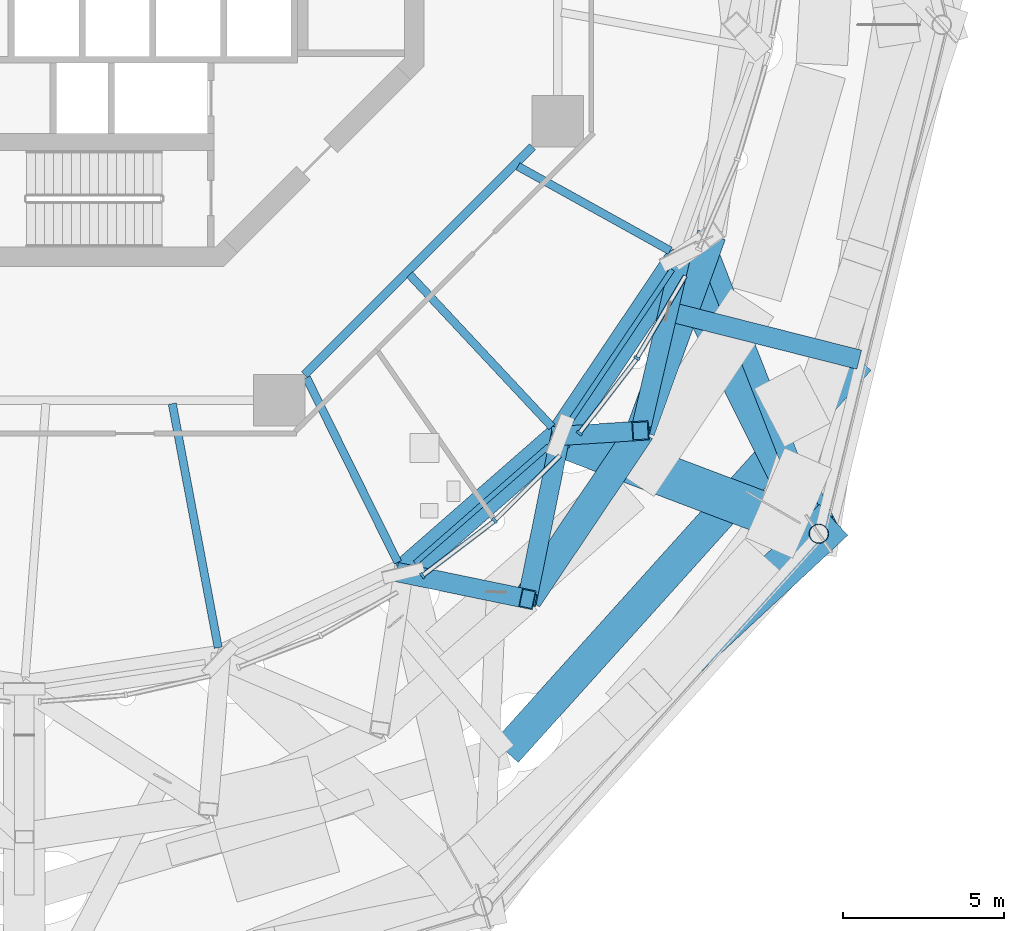
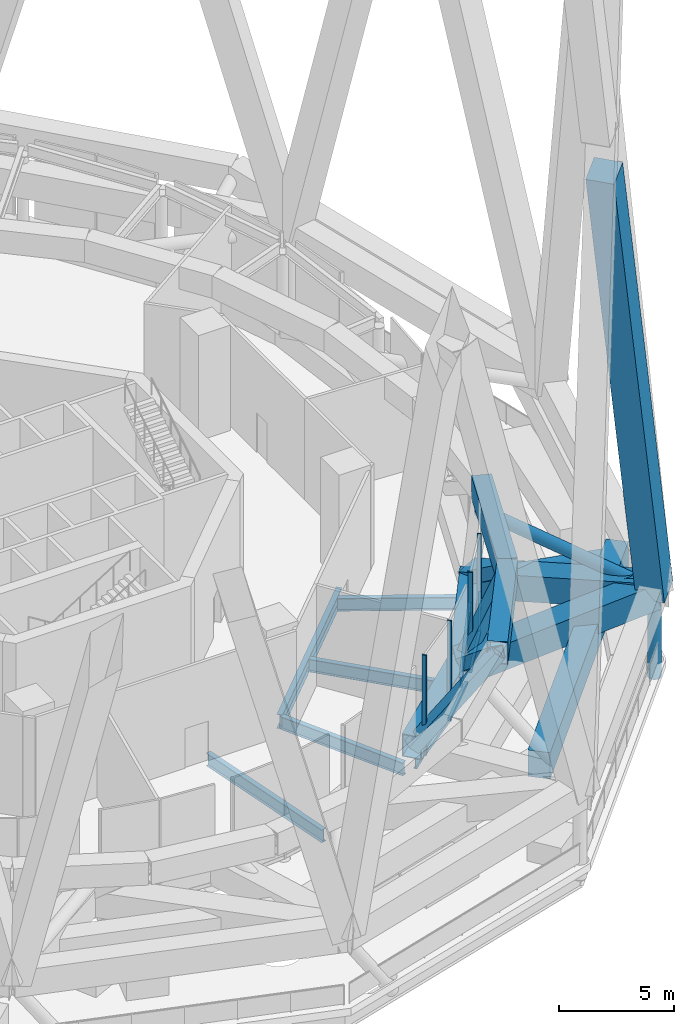
# One storey, part 11 of 48: 15 beams, 15 members, 4 elements without a shape of their own.
"""IFC4 building model written with IfcOpenShell, lengths in metres."""

from ifc_helpers import new_model, si_unit, direction, frame, origin, origin_2d, place, context, subcontext, project, spatial, rectangle, hollow_rectangle, hollow_circle, i_section, extrude, material, layer, layer_set, material_profile, profile_set, type_object, element, aggregate, save


model = new_model("IFC4")

# Units and contexts
model_context = context("Model", 3, precision=1e-05, world=origin(), true_north=direction((0.0, 1.0)))
body_context = subcontext(model_context, "Body", "Model", "MODEL_VIEW")
ifc_project = project(units=[si_unit("LENGTHUNIT", "METRE"), si_unit("AREAUNIT", "SQUARE_METRE"), si_unit("VOLUMEUNIT", "CUBIC_METRE"), si_unit("PLANEANGLEUNIT", "RADIAN"), si_unit("MASSUNIT", "GRAM", prefix="KILO")], contexts=[model_context])

# Site, building, storey
site_placement = place(None, origin())
site = spatial("IfcSite", under=ifc_project, at=site_placement, CompositionType="ELEMENT")
building_placement = place(site_placement, origin())
building = spatial("IfcBuilding", under=site, at=building_placement, Name="Nagisa Residences", CompositionType="ELEMENT")
storey_placement = place(building_placement, frame((0.0, 0.0, 252.89990234375)))
storey = spatial("IfcBuildingStorey", under=building, at=storey_placement, Name="L64", CompositionType="ELEMENT", Elevation=252.89990234375)

# Beams
ifc_material_1 = material(Name="Steel ASTM A572 Gr 50", Category="steel")
ifc_material_profile_1 = material_profile(ifc_material_1, hollow_rectangle(XDim=0.89990234375, YDim=1.199951171875, WallThickness=0.0400390625, at=origin_2d()), Name="BX 900x1200x40")
ifc_profile_set_1 = profile_set([ifc_material_profile_1], Name="Steel ASTM A572 Gr 50")
beam_type_1 = type_object("IfcBeamType", Name="Belt chord 5 BX 900x1200x40", PredefinedType="BEAM", material=ifc_profile_set_1)
beam_1_placement = place(storey_placement, frame((9.985107421875, -20.169677734375, 0.60009765625), z_axis=(0.752422814139, 0.658680429923, 0.0), x_axis=(-0.658680429923, 0.752422814139, 0.0)))
element("IfcBeam", 1, at=beam_1_placement, inside=storey, type_object=beam_type_1, Name="beam:L64:bt5b21", PredefinedType="BEAM", context=body_context, shape_type="SweptSolid", body=[
    extrude(hollow_rectangle(XDim=0.89990234375, YDim=1.199951171875, WallThickness=0.0400390625, at=origin_2d()), origin(), (0.0, 0.0, 1.0), 6.487548828125),
])
beam_2_placement = place(storey_placement, frame((14.866455078125, -15.896484375, 0.60009765625), z_axis=(0.558112035626, 0.82976560286, 0.0), x_axis=(-0.82976560286, 0.558112035626, 0.0)))
element("IfcBeam", 2, at=beam_2_placement, inside=storey, type_object=beam_type_1, Name="beam:L64:bt5b22", PredefinedType="BEAM", context=body_context, shape_type="SweptSolid", body=[
    extrude(hollow_rectangle(XDim=0.89990234375, YDim=1.199951171875, WallThickness=0.0400390625, at=origin_2d()), origin(), (0.0, 0.0, 1.0), 6.711669921875),
])
beam_3_placement = place(storey_placement, frame((13.84130859375, -20.965087890625, 4.739990234375), z_axis=(0.558022898517, 0.829825550782, 0.0), x_axis=(-0.829825550782, 0.558022898517, 0.0)))
element("IfcBeam", 3, at=beam_3_placement, inside=storey, type_object=beam_type_1, Name="beam:L64:bt5t22", PredefinedType="BEAM", context=body_context, shape_type="SweptSolid", body=[
    extrude(hollow_rectangle(XDim=0.89990234375, YDim=1.199951171875, WallThickness=0.0400390625, at=origin_2d()), origin(), (0.0, 0.0, 1.0), 6.29931640625),
])
beam_4_placement = place(storey_placement, frame((17.3564453125, -15.73779296875, 4.739990234375), z_axis=(0.341213297121, 0.939985896632, 0.0), x_axis=(-0.939985896632, 0.341213297121, 0.0)))
element("IfcBeam", 4, at=beam_4_placement, inside=storey, type_object=beam_type_1, Name="beam:L64:bt5t23", PredefinedType="BEAM", context=body_context, shape_type="SweptSolid", body=[
    extrude(hollow_rectangle(XDim=0.89990234375, YDim=1.199951171875, WallThickness=0.0400390625, at=origin_2d()), origin(), (0.0, 0.0, 1.0), 6.47607421875),
])
ifc_material_2 = material(Name="Steel ASTM A572 Gr 50", Category="steel")
ifc_material_profile_2 = material_profile(ifc_material_2, hollow_rectangle(XDim=0.60009765625, YDim=0.60009765625, WallThickness=0.034912109375, at=origin_2d()), Name="BX 600x600x35")
ifc_profile_set_2 = profile_set([ifc_material_profile_2], Name="Steel ASTM A572 Gr 50")
beam_type_2 = type_object("IfcBeamType", Name="Belt diagonal 5 BX 600x600x35", PredefinedType="BEAM", material=ifc_profile_set_2)
beam_5_placement = place(storey_placement, frame((9.985107421875, -20.169677734375, 0.60009765625), z_axis=(0.67495289078, -0.139221052115, 0.724607544727), x_axis=(0.202015062221, 0.97938241491, 0.0)))
element("IfcBeam", 5, at=beam_5_placement, inside=storey, type_object=beam_type_2, Name="beam:L64:bt5db21", PredefinedType="BEAM", context=body_context, shape_type="SweptSolid", body=[
    extrude(hollow_rectangle(XDim=0.60009765625, YDim=0.60009765625, WallThickness=0.034912109375, at=origin_2d()), origin(), (0.0, 0.0, 1.0), 5.71337890625),
])
beam_6_placement = place(storey_placement, frame((14.866455078125, -15.896484375, 0.60009765625), z_axis=(-0.15475715929, -0.765161558473, 0.624962407737), x_axis=(0.98015347267, -0.198240182638, 0.0)))
element("IfcBeam", 6, at=beam_6_placement, inside=storey, type_object=beam_type_2, Name="beam:L64:bt5da22", PredefinedType="BEAM", context=body_context, shape_type="SweptSolid", body=[
    extrude(hollow_rectangle(XDim=0.60009765625, YDim=0.60009765625, WallThickness=0.034912109375, at=origin_2d()), origin(), (0.0, 0.0, 1.0), 6.624267578125),
])
beam_7_placement = place(storey_placement, frame((14.866455078125, -15.896484375, 0.60009765625), z_axis=(0.515139150259, 0.032830713567, 0.856477553773), x_axis=(-0.063602700661, 0.997975298526, 0.0)))
element("IfcBeam", 7, at=beam_7_placement, inside=storey, type_object=beam_type_2, Name="beam:L64:bt5db22", PredefinedType="BEAM", context=body_context, shape_type="SweptSolid", body=[
    extrude(hollow_rectangle(XDim=0.60009765625, YDim=0.60009765625, WallThickness=0.034912109375, at=origin_2d()), origin(), (0.0, 0.0, 1.0), 4.833740234375),
])
beam_8_placement = place(storey_placement, frame((18.6123046875, -10.327392578125, 0.60009765625), z_axis=(-0.181289734521, -0.781019013748, 0.59761470223), x_axis=(0.974102214012, -0.226108108338, 0.0)))
element("IfcBeam", 8, at=beam_8_placement, inside=storey, type_object=beam_type_2, Name="beam:L64:bt5da23", PredefinedType="BEAM", context=body_context, shape_type="SweptSolid", body=[
    extrude(hollow_rectangle(XDim=0.60009765625, YDim=0.60009765625, WallThickness=0.034912109375, at=origin_2d()), origin(), (0.0, 0.0, 1.0), 6.92724609375),
])

# Curtain wall, member
ifc_material_3 = material(Name="Aluminium curtain wall system", Category="aluminium")
ifc_layer = layer(ifc_material_3, 0.159912109375)
ifc_layer_set = layer_set([ifc_layer], Name="CW2 CURTAIN WALL")
curtain_wall_type = type_object("IfcCurtainWallType", Name="CW2 CURTAIN WALL", PredefinedType="NOTDEFINED", material=ifc_layer_set)
curtain_wall_1_placement = place(storey_placement, origin())
curtain_wall_1 = element("IfcCurtainWall", 9, at=curtain_wall_1_placement, inside=storey, type_object=curtain_wall_type, Name="cw:CW2:L64:40", PredefinedType="NOTDEFINED")
ifc_material_4 = material(Name="Aluminium", Category="aluminium")
ifc_material_profile_3 = material_profile(ifc_material_4, rectangle(XDim=0.199951171875, YDim=0.080078125, at=origin_2d()), Name="CW2 MULLION 200x80")
ifc_profile_set_3 = profile_set([ifc_material_profile_3], Name="Aluminium")
member_type_1 = type_object("IfcMemberType", Name="CW2 MULLION 200x80", PredefinedType="MULLION", material=ifc_profile_set_3)
member_1_placement = place(storey_placement, frame((10.57666015625, -20.242431640625, 0.0), z_axis=(0.0, 0.0, 1.0), x_axis=(-0.605255421737, 0.79603132756, 0.0)))
member_1 = element("IfcMember", 10, at=member_1_placement, type_object=member_type_1, Name="CW2 mullion", PredefinedType="MULLION", context=body_context, shape_type="SweptSolid", body=[
    extrude(rectangle(XDim=0.199951171875, YDim=0.080078125, at=origin_2d()), origin(), (0.0, 0.0, 1.0), 5.340087890625),
])

curtain_wall_2_placement = place(storey_placement, origin())
curtain_wall_2 = element("IfcCurtainWall", 11, at=curtain_wall_2_placement, inside=storey, type_object=curtain_wall_type, Name="cw:CW2:L64:41", PredefinedType="NOTDEFINED")
member_2_placement = place(storey_placement, frame((12.82470703125, -18.52734375, 0.0), z_axis=(0.0, 0.0, 1.0), x_axis=(-0.706376885714, 0.707835924016, 0.0)))
member_2 = element("IfcMember", 12, at=member_2_placement, type_object=member_type_1, Name="CW2 mullion", PredefinedType="MULLION", context=body_context, shape_type="SweptSolid", body=[
    extrude(rectangle(XDim=0.199951171875, YDim=0.080078125, at=origin_2d()), origin(), (0.0, 0.0, 1.0), 5.340087890625),
])

curtain_wall_3_placement = place(storey_placement, origin())
curtain_wall_3 = element("IfcCurtainWall", 13, at=curtain_wall_3_placement, inside=storey, type_object=curtain_wall_type, Name="cw:CW2:L64:42", PredefinedType="NOTDEFINED")
member_3_placement = place(storey_placement, frame((15.455810546875, -15.81298828125, 0.0), z_axis=(0.0, 0.0, 1.0), x_axis=(-0.792070340816, 0.610429828235, 0.0)))
member_3 = element("IfcMember", 14, at=member_3_placement, type_object=member_type_1, Name="CW2 mullion", PredefinedType="MULLION", context=body_context, shape_type="SweptSolid", body=[
    extrude(rectangle(XDim=0.199951171875, YDim=0.080078125, at=origin_2d()), origin(), (0.0, 0.0, 1.0), 5.340087890625),
])

curtain_wall_4_placement = place(storey_placement, origin())
curtain_wall_4 = element("IfcCurtainWall", 15, at=curtain_wall_4_placement, inside=storey, type_object=curtain_wall_type, Name="cw:CW2:L64:43", PredefinedType="NOTDEFINED")
member_4_placement = place(storey_placement, frame((17.247314453125, -13.481201171875, 0.0), z_axis=(0.0, 0.0, 1.0), x_axis=(-0.862328898214, 0.506348567002, 0.0)))
member_4 = element("IfcMember", 16, at=member_4_placement, type_object=member_type_1, Name="CW2 mullion", PredefinedType="MULLION", context=body_context, shape_type="SweptSolid", body=[
    extrude(rectangle(XDim=0.199951171875, YDim=0.080078125, at=origin_2d()), origin(), (0.0, 0.0, 1.0), 5.340087890625),
])

# Member
ifc_material_5 = material(Name="Aluminium", Category="aluminium")
ifc_material_profile_4 = material_profile(ifc_material_5, rectangle(XDim=0.139892578125, YDim=0.179931640625, at=origin_2d()), Name="CW2 TRANSOM 140x180")
ifc_profile_set_4 = profile_set([ifc_material_profile_4], Name="Aluminium")
member_type_2 = type_object("IfcMemberType", Name="CW2 TRANSOM 140x180", PredefinedType="USERDEFINED", material=ifc_profile_set_4)
member_5_placement = place(storey_placement, frame((10.544677734375, -20.2666015625, 0.090087890625), z_axis=(0.796061088035, 0.605216278793, 0.0), x_axis=(-0.605216278793, 0.796061088035, 0.0)))
member_5 = element("IfcMember", 17, at=member_5_placement, type_object=member_type_2, Name="CW2 transom", ObjectType="TRANSOM", PredefinedType="USERDEFINED", context=body_context, shape_type="SweptSolid", body=[
    extrude(rectangle(XDim=0.139892578125, YDim=0.179931640625, at=origin_2d()), origin(), (0.0, 0.0, 1.0), 2.838623046875),
])

aggregate(curtain_wall_1, [member_1, member_5])

member_6_placement = place(storey_placement, frame((12.79638671875, -18.5556640625, 0.090087890625), z_axis=(0.707823435791, 0.706389399513, 0.0), x_axis=(-0.706389399513, 0.707823435791, 0.0)))
member_6 = element("IfcMember", 18, at=member_6_placement, type_object=member_type_2, Name="CW2 transom", ObjectType="TRANSOM", PredefinedType="USERDEFINED", context=body_context, shape_type="SweptSolid", body=[
    extrude(rectangle(XDim=0.139892578125, YDim=0.179931640625, at=origin_2d()), origin(), (0.0, 0.0, 1.0), 2.894287109375),
])

aggregate(curtain_wall_2, [member_2, member_6])

member_7_placement = place(storey_placement, frame((15.431396484375, -15.8447265625, 0.090087890625), z_axis=(0.610446226822, 0.792057702544, 0.0), x_axis=(-0.792057702544, 0.610446226822, 0.0)))
member_7 = element("IfcMember", 19, at=member_7_placement, type_object=member_type_2, Name="CW2 transom", ObjectType="TRANSOM", PredefinedType="USERDEFINED", context=body_context, shape_type="SweptSolid", body=[
    extrude(rectangle(XDim=0.139892578125, YDim=0.179931640625, at=origin_2d()), origin(), (0.0, 0.0, 1.0), 2.95068359375),
])

aggregate(curtain_wall_3, [member_3, member_7])

member_8_placement = place(storey_placement, frame((17.22705078125, -13.515869140625, 0.090087890625), z_axis=(0.506299099486, 0.862357943002, 0.0), x_axis=(-0.862357943002, 0.506299099486, 0.0)))
member_8 = element("IfcMember", 20, at=member_8_placement, type_object=member_type_2, Name="CW2 transom", ObjectType="TRANSOM", PredefinedType="USERDEFINED", context=body_context, shape_type="SweptSolid", body=[
    extrude(rectangle(XDim=0.139892578125, YDim=0.179931640625, at=origin_2d()), origin(), (0.0, 0.0, 1.0), 3.004638671875),
])

aggregate(curtain_wall_4, [member_4, member_8])

# Members
ifc_material_6 = material(Name="Concrete C80", Category="concrete")
ifc_material_profile_5 = material_profile(ifc_material_6, rectangle(XDim=1.300048828125, YDim=1.300048828125, at=origin_2d()), Name="C80 1300x1300")
ifc_profile_set_5 = profile_set([ifc_material_profile_5], Name="Concrete C80")
member_type_3 = type_object("IfcMemberType", Name="Cage bracket 6 C80 1300x1300", PredefinedType="BRACE", material=ifc_profile_set_5)
member_9_placement = place(storey_placement, frame((22.89892578125, -18.937744140625, 3.7001953125), z_axis=(-0.879664422582, 0.333059168782, -0.339502715356), x_axis=(-0.354090338012, -0.935211223482, 0.0)))
element("IfcMember", 21, at=member_9_placement, inside=storey, type_object=member_type_3, Name="mem:L64:cg5ob09", PredefinedType="BRACE", context=body_context, shape_type="SweptSolid", body=[
    extrude(rectangle(XDim=1.300048828125, YDim=1.300048828125, at=origin_2d()), origin(), (0.0, 0.0, 1.0), 9.13134765625),
])
member_10_placement = place(storey_placement, frame((22.89892578125, -18.937744140625, 3.7001953125), z_axis=(-0.424181226586, 0.85203459957, -0.306769177309), x_axis=(-0.895197494051, -0.445669660898, 0.0)))
element("IfcMember", 22, at=member_10_placement, inside=storey, type_object=member_type_3, Name="mem:L64:cg5ob10", PredefinedType="BRACE", context=body_context, shape_type="SweptSolid", body=[
    extrude(rectangle(XDim=1.300048828125, YDim=1.300048828125, at=origin_2d()), origin(), (0.0, 0.0, 1.0), 10.105712890625),
])
ifc_material_7 = material(Name="Concrete C80", Category="concrete")
ifc_material_profile_6 = material_profile(ifc_material_7, rectangle(XDim=1.300048828125, YDim=1.300048828125, at=origin_2d()), Name="C80 1300x1300")
ifc_profile_set_6 = profile_set([ifc_material_profile_6], Name="Concrete C80")
member_type_4 = type_object("IfcMemberType", Name="Cage diagonal 6 C80 1300x1300", PredefinedType="BRACE", material=ifc_profile_set_6)
member_11_placement = place(storey_placement, frame((22.89892578125, -18.937744140625, 3.7001953125), z_axis=(-0.193228376758, -0.179868310994, 0.964525886182), x_axis=(0.68134959341, -0.731958148777, 0.0)))
element("IfcMember", 23, at=member_11_placement, inside=storey, type_object=member_type_4, Name="mem:L64:cg6d022a", PredefinedType="BRACE", context=body_context, shape_type="SweptSolid", body=[
    extrude(rectangle(XDim=1.300048828125, YDim=1.300048828125, at=origin_2d()), origin(), (0.0, 0.0, 1.0), 28.25146484375),
])
ifc_material_8 = material(Name="Concrete C80", Category="concrete")
ifc_material_profile_7 = material_profile(ifc_material_8, rectangle(XDim=1.0, YDim=1.39990234375, at=origin_2d()), Name="C80 1000x1400")
ifc_profile_set_7 = profile_set([ifc_material_profile_7], Name="Concrete C80")
member_type_5 = type_object("IfcMemberType", Name="Cage ring 5 C80 1000x1400", PredefinedType="CHORD", material=ifc_profile_set_7)
member_12_placement = place(storey_placement, frame((13.18505859375, -25.71240234375, 1.900146484375), z_axis=(0.669071674915, 0.743197883357, 0.0), x_axis=(-0.743197883357, 0.669071674915, 0.0)))
element("IfcMember", 24, at=member_12_placement, inside=storey, type_object=member_type_5, Name="beam:L64:cg5r111", PredefinedType="CHORD", context=body_context, shape_type="SweptSolid", body=[
    extrude(rectangle(XDim=1.0, YDim=1.39990234375, at=origin_2d()), origin(), (0.0, 0.0, 1.0), 16.3955078125),
])
ifc_material_9 = material(Name="Steel ASTM A572 Gr 65", Category="steel")
ifc_material_profile_8 = material_profile(ifc_material_9, hollow_circle(Radius=0.304931640625, WallThickness=0.02490234375, at=origin_2d()), Name="CHS 610x25")
ifc_profile_set_8 = profile_set([ifc_material_profile_8], Name="Steel ASTM A572 Gr 65")
member_type_6 = type_object("IfcMemberType", Name="Cage strut CHS 610x25", PredefinedType="STRUT", material=ifc_profile_set_8)
member_13_placement = place(storey_placement, frame((24.15478515625, -13.52734375, 1.900146484375), z_axis=(-0.969484655693, 0.245151998514, 0.0), x_axis=(-0.245151998514, -0.969484655693, 0.0)))
element("IfcMember", 25, at=member_13_placement, inside=storey, type_object=member_type_6, Name="mem:L64:bt5st5a12", PredefinedType="STRUT", context=body_context, shape_type="SweptSolid", body=[
    extrude(hollow_circle(Radius=0.304931640625, WallThickness=0.02490234375, at=origin_2d()), origin(), (0.0, 0.0, 1.0), 6.12353515625),
])
member_14_placement = place(storey_placement, frame((22.89892578125, -18.937744140625, 3.7001953125), z_axis=(-0.364804478922, 0.931084148806, 0.0), x_axis=(-0.931084148806, -0.364804478922, 0.0)))
element("IfcMember", 26, at=member_14_placement, inside=storey, type_object=member_type_6, Name="mem:L64:bt5st6b12", PredefinedType="STRUT", context=body_context, shape_type="SweptSolid", body=[
    extrude(hollow_circle(Radius=0.304931640625, WallThickness=0.02490234375, at=origin_2d()), origin(), (0.0, 0.0, 1.0), 9.792236328125),
])
ifc_material_10 = material(Name="Steel ASTM A572 Gr 65", Category="steel")
ifc_material_profile_9 = material_profile(ifc_material_10, hollow_circle(Radius=0.304931640625, WallThickness=0.02490234375, at=origin_2d()), Name="CHS 610x25")
ifc_profile_set_9 = profile_set([ifc_material_profile_9], Name="Steel ASTM A572 Gr 65")
member_type_7 = type_object("IfcMemberType", Name="Deck hanger CHS 610x25", PredefinedType="POST", material=ifc_profile_set_9)
member_15_placement = place(storey_placement, frame((22.89892578125, -18.937744140625, 3.0), z_axis=(0.0, 0.0, -1.0), x_axis=(1.0, 0.0, 0.0)))
element("IfcMember", 27, at=member_15_placement, inside=storey, type_object=member_type_7, Name="mem:L64:deckhanger09", PredefinedType="POST", context=body_context, shape_type="SweptSolid", body=[
    extrude(hollow_circle(Radius=0.304931640625, WallThickness=0.02490234375, at=origin_2d()), origin(), (0.0, 0.0, 1.0), 3.889892578125),
])

# Beams
ifc_material_11 = material(Name="Steel ASTM A572 Gr 50", Category="steel")
ifc_material_profile_10 = material_profile(ifc_material_11, i_section(OverallWidth=0.264892578125, OverallDepth=0.7529296875, WebThickness=0.01318359375, FlangeThickness=0.01708984375, at=origin_2d()), Name="W760x147")
ifc_profile_set_10 = profile_set([ifc_material_profile_10], Name="Steel ASTM A572 Gr 50")
beam_type_3 = type_object("IfcBeamType", Name="Inner ring beam W760x147", PredefinedType="BEAM", material=ifc_profile_set_10)
beam_9_placement = place(storey_placement, frame((6.90869140625, -13.99609375, -0.726318359375), z_axis=(0.707106781187, 0.707106781187, 0.0), x_axis=(-0.707106781187, 0.707106781187, 0.0)))
element("IfcBeam", 28, at=beam_9_placement, inside=storey, type_object=beam_type_3, Name="beam:L64:ib7", PredefinedType="BEAM", context=body_context, shape_type="SweptSolid", body=[
    extrude(i_section(OverallWidth=0.264892578125, OverallDepth=0.7529296875, WebThickness=0.01318359375, FlangeThickness=0.01708984375, at=origin_2d()), origin(), (0.0, 0.0, 1.0), 10.023193359375),
])
ifc_material_12 = material(Name="Steel ASTM A572 Gr 50", Category="steel")
ifc_material_profile_11 = material_profile(ifc_material_12, i_section(OverallWidth=0.166015625, OverallDepth=0.534912109375, WebThickness=0.01025390625, FlangeThickness=0.0166015625, at=origin_2d()), Name="W530x85")
ifc_profile_set_11 = profile_set([ifc_material_profile_11], Name="Steel ASTM A572 Gr 50")
beam_type_4 = type_object("IfcBeamType", Name="Perimeter ring beam W530x85", PredefinedType="BEAM", material=ifc_profile_set_11)
beam_10_placement = place(storey_placement, frame((10.349853515625, -19.850341796875, -0.617431640625), z_axis=(0.75242320672, 0.65867998147, 0.0), x_axis=(-0.65867998147, 0.75242320672, 0.0)))
element("IfcBeam", 29, at=beam_10_placement, inside=storey, type_object=beam_type_4, Name="beam:L64:pb21", PredefinedType="BEAM", context=body_context, shape_type="SweptSolid", body=[
    extrude(i_section(OverallWidth=0.166015625, OverallDepth=0.534912109375, WebThickness=0.01025390625, FlangeThickness=0.0166015625, at=origin_2d()), origin(), (0.0, 0.0, 1.0), 5.5185546875),
])
beam_11_placement = place(storey_placement, frame((15.13671875, -15.49462890625, -0.617431640625), z_axis=(0.558109119402, 0.829767564345, 0.0), x_axis=(-0.829767564345, 0.558109119402, 0.0)))
element("IfcBeam", 30, at=beam_11_placement, inside=storey, type_object=beam_type_4, Name="beam:L64:pb22", PredefinedType="BEAM", context=body_context, shape_type="SweptSolid", body=[
    extrude(i_section(OverallWidth=0.166015625, OverallDepth=0.534912109375, WebThickness=0.01025390625, FlangeThickness=0.0166015625, at=origin_2d()), origin(), (0.0, 0.0, 1.0), 5.74365234375),
])
ifc_material_13 = material(Name="Steel ASTM A572 Gr 50", Category="steel")
ifc_material_profile_12 = material_profile(ifc_material_13, i_section(OverallWidth=0.2529296875, OverallDepth=0.677978515625, WebThickness=0.01171875, FlangeThickness=0.016357421875, at=origin_2d()), Name="W690x125")
ifc_profile_set_12 = profile_set([ifc_material_profile_12], Name="Steel ASTM A572 Gr 50")
beam_type_5 = type_object("IfcBeamType", Name="Radial beam W690x125", PredefinedType="BEAM", material=ifc_profile_set_12)
beam_12_placement = place(storey_placement, frame((4.229736328125, -22.480224609375, -0.68896484375), z_axis=(-0.184916827151, 0.982754174266, 0.0), x_axis=(-0.982754174266, -0.184916827151, 0.0)))
element("IfcBeam", 31, at=beam_12_placement, inside=storey, type_object=beam_type_5, Name="beam:L64:rb20", PredefinedType="BEAM", context=body_context, shape_type="SweptSolid", body=[
    extrude(i_section(OverallWidth=0.2529296875, OverallDepth=0.677978515625, WebThickness=0.01171875, FlangeThickness=0.016357421875, at=origin_2d()), origin(), (0.0, 0.0, 1.0), 7.71826171875),
])
beam_13_placement = place(storey_placement, frame((9.815185546875, -19.826416015625, -0.68896484375), z_axis=(-0.443685660356, 0.896182478513, 0.0), x_axis=(-0.896182478513, -0.443685660356, 0.0)))
element("IfcBeam", 32, at=beam_13_placement, inside=storey, type_object=beam_type_5, Name="beam:L64:rb21", PredefinedType="BEAM", context=body_context, shape_type="SweptSolid", body=[
    extrude(i_section(OverallWidth=0.2529296875, OverallDepth=0.677978515625, WebThickness=0.01171875, FlangeThickness=0.016357421875, at=origin_2d()), origin(), (0.0, 0.0, 1.0), 6.400634765625),
])
beam_14_placement = place(storey_placement, frame((14.605712890625, -15.617431640625, -0.68896484375), z_axis=(-0.683069623914, 0.730353263076, 0.0), x_axis=(-0.730353263076, -0.683069623914, 0.0)))
element("IfcBeam", 33, at=beam_14_placement, inside=storey, type_object=beam_type_5, Name="beam:L64:rb22", PredefinedType="BEAM", context=body_context, shape_type="SweptSolid", body=[
    extrude(i_section(OverallWidth=0.2529296875, OverallDepth=0.677978515625, WebThickness=0.01171875, FlangeThickness=0.016357421875, at=origin_2d()), origin(), (0.0, 0.0, 1.0), 6.47998046875),
])
beam_15_placement = place(storey_placement, frame((18.27978515625, -10.142822265625, -0.68896484375), z_axis=(-0.874421027898, 0.485167874008, 0.0), x_axis=(-0.485167874008, -0.874421027898, 0.0)))
element("IfcBeam", 34, at=beam_15_placement, inside=storey, type_object=beam_type_5, Name="beam:L64:rb23", PredefinedType="BEAM", context=body_context, shape_type="SweptSolid", body=[
    extrude(i_section(OverallWidth=0.2529296875, OverallDepth=0.677978515625, WebThickness=0.01171875, FlangeThickness=0.016357421875, at=origin_2d()), origin(), (0.0, 0.0, 1.0), 5.41162109375),
])

save(model, "model.ifc")
